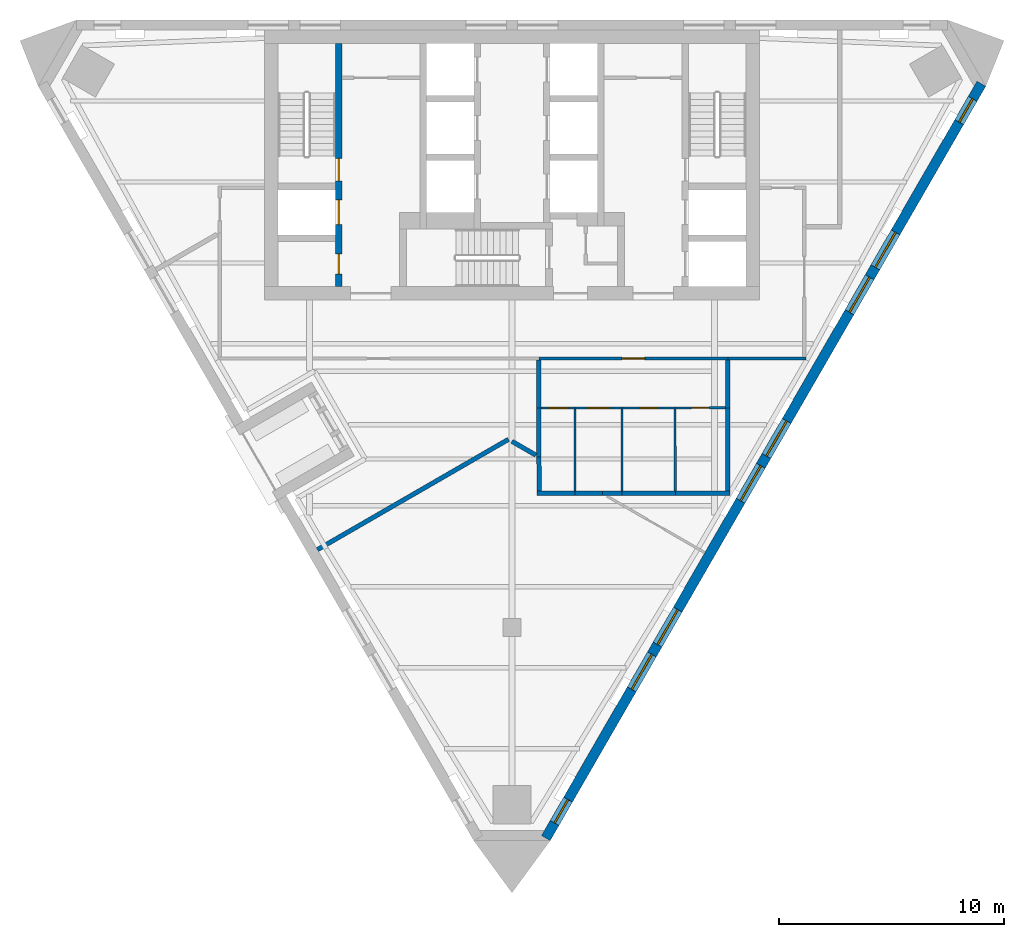
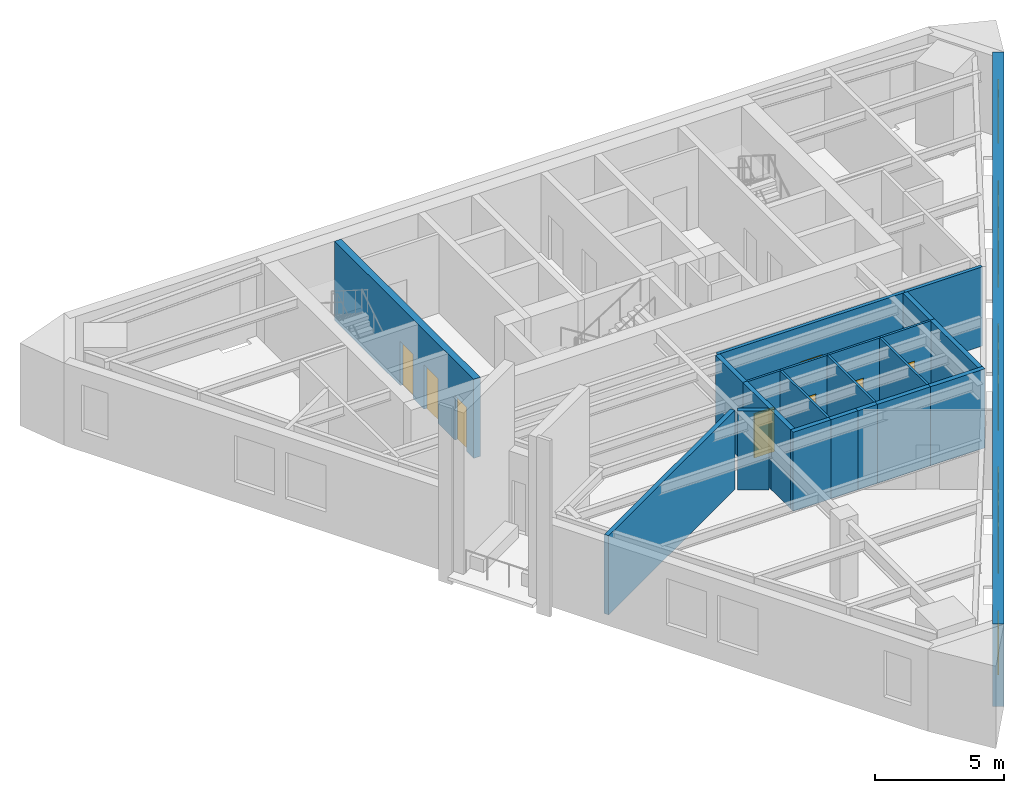
# One storey, part 3 of 6: 23 walls, 8 doors, 8 windows, 16 openings.
"""IFC4 building model written with IfcOpenShell, lengths in metres."""

from ifc_helpers import new_model, si_unit, direction, frame, frame_2d, origin, place, context, subcontext, project, spatial, polyline, rectangle, outline, extrude, material, layer, layer_set, type_object, element, fill, save


model = new_model("IFC4")

# Units and contexts
model_context = context("Model", 3, precision=1e-05, world=origin(), true_north=direction((0.0, 1.0)))
body_context = subcontext(model_context, "Body", "Model", "MODEL_VIEW")
ifc_project = project(units=[si_unit("LENGTHUNIT", "METRE"), si_unit("AREAUNIT", "SQUARE_METRE"), si_unit("VOLUMEUNIT", "CUBIC_METRE"), si_unit("PLANEANGLEUNIT", "RADIAN"), si_unit("MASSUNIT", "GRAM", prefix="KILO")], contexts=[model_context])

# Site, building, storey
site_placement = place(None, origin())
site = spatial("IfcSite", under=ifc_project, at=site_placement, CompositionType="ELEMENT")
building_placement = place(site_placement, origin())
building = spatial("IfcBuilding", under=site, at=building_placement, Name="Aloe Facet Convention Tower", CompositionType="ELEMENT")
storey_placement = place(building_placement, frame((0.0, 0.0, 199.699951171875)))
storey = spatial("IfcBuildingStorey", under=building, at=storey_placement, Name="L50", CompositionType="ELEMENT", Elevation=199.699951171875)

# Wall, openings, doors
ifc_material_1 = material(Name="Concrete C50/60", Category="concrete")
ifc_layer_1 = layer(ifc_material_1, 0.300048828125)
ifc_layer_set_1 = layer_set([ifc_layer_1], Name="CR-W-RC300-C5060")
wall_type_1 = type_object("IfcWallType", Name="CR-W-RC300-C5060", PredefinedType="SOLIDWALL", material=ifc_layer_set_1)
wall_1_placement = place(storey_placement, frame((72.300048828125, 133.949951171875, 0.0), z_axis=(0.0, 0.0, 1.0), x_axis=(0.0, -1.0, 0.0)))
wall_1 = element("IfcWall", 1, at=wall_1_placement, inside=storey, type_object=wall_type_1, Name="Core wall L50-006", PredefinedType="SOLIDWALL", context=body_context, shape_type="SweptSolid", body=[
    extrude(rectangle(XDim=10.800048828125, YDim=0.300048828125, at=frame_2d((5.39990234375, 0.0))), origin(), (0.0, 0.0, 1.0), 3.75),
])
opening_1_placement = place(wall_1_placement, frame((6.949951171875, 0.0, 0.0)))
opening_1 = element("IfcOpeningElement", 2, at=opening_1_placement, cuts=wall_1, Name="Opening LD-FF1-L50", PredefinedType="OPENING", context=body_context, shape_type="SweptSolid", body=[
    extrude(rectangle(XDim=1.10009765625, YDim=2.10009765625, at=frame_2d((0.550048828125, 1.050048828125))), frame((0.0, 0.16015625, 0.0), z_axis=(0.0, -1.0, 0.0), x_axis=(1.0, 0.0, 0.0)), (0.0, 0.0, 1.0), 0.320068359375),
])
opening_2_placement = place(wall_1_placement, frame((9.35009765625, 0.0, 0.0)))
opening_2 = element("IfcOpeningElement", 3, at=opening_2_placement, cuts=wall_1, Name="Opening L50-CD15", PredefinedType="OPENING", context=body_context, shape_type="SweptSolid", body=[
    extrude(rectangle(XDim=0.89990234375, YDim=2.10009765625, at=frame_2d((0.449951171875, 1.050048828125))), frame((0.0, 0.16015625, 0.0), z_axis=(0.0, -1.0, 0.0), x_axis=(1.0, 0.0, 0.0)), (0.0, 0.0, 1.0), 0.320068359375),
])
opening_3_placement = place(wall_1_placement, frame((5.10009765625, 0.0, 0.0)))
opening_3 = element("IfcOpeningElement", 4, at=opening_3_placement, cuts=wall_1, Name="Opening L50-CD16", PredefinedType="OPENING", context=body_context, shape_type="SweptSolid", body=[
    extrude(rectangle(XDim=1.0, YDim=2.10009765625, at=frame_2d((0.5, 1.050048828125))), frame((0.0, 0.16015625, 0.0), z_axis=(0.0, -1.0, 0.0), x_axis=(1.0, 0.0, 0.0)), (0.0, 0.0, 1.0), 0.320068359375),
])
ifc_material_2 = material(Name="Steel fire-resisting door set FD60", Category="steel")
door_type_1 = type_object("IfcDoorType", Name="CR-D-ROOM-900-FD60-SLEFT", OperationType="SINGLE_SWING_LEFT", PredefinedType="DOOR", material=ifc_material_2)
door_1_placement = place(opening_2_placement, origin())
door_1 = element("IfcDoor", 5, at=door_1_placement, inside=storey, type_object=door_type_1, Name="Core door L50-CD15", OperationType="SINGLE_SWING_LEFT", OverallHeight=2.10009765625, OverallWidth=0.89990234375, PredefinedType="DOOR", context=body_context, shape_type="SweptSolid", body=[
    extrude(rectangle(XDim=0.89990234375, YDim=2.10009765625, at=frame_2d((0.449951171875, 1.050048828125))), frame((0.0, 0.02490234375, 0.0), z_axis=(0.0, -1.0, 0.0), x_axis=(1.0, 0.0, 0.0)), (0.0, 0.0, 1.0), 0.050048828125),
])
fill(opening_2, door_1)
ifc_material_3 = material(Name="Steel fire-resisting door set FD120", Category="steel")
door_type_2 = type_object("IfcDoorType", Name="CR-D-STAIR-1000-FD120-SRIGHT", OperationType="SINGLE_SWING_RIGHT", PredefinedType="DOOR", material=ifc_material_3)
door_2_placement = place(opening_3_placement, origin())
door_2 = element("IfcDoor", 6, at=door_2_placement, inside=storey, type_object=door_type_2, Name="Core door L50-CD16", OperationType="SINGLE_SWING_RIGHT", OverallHeight=2.10009765625, OverallWidth=1.0, PredefinedType="DOOR", context=body_context, shape_type="SweptSolid", body=[
    extrude(rectangle(XDim=1.0, YDim=2.10009765625, at=frame_2d((0.5, 1.050048828125))), frame((0.0, 0.02490234375, 0.0), z_axis=(0.0, -1.0, 0.0), x_axis=(1.0, 0.0, 0.0)), (0.0, 0.0, 1.0), 0.050048828125),
])
fill(opening_3, door_2)
ifc_material_4 = material(Name="Stainless steel sliding landing door", Category="steel")
door_type_3 = type_object("IfcDoorType", Name="CR-LD-1100-FD120-_LEFT", OperationType="SLIDING_TO_LEFT", PredefinedType="DOOR", material=ifc_material_4)
door_3_placement = place(opening_1_placement, origin())
door_3 = element("IfcDoor", 7, at=door_3_placement, inside=storey, type_object=door_type_3, Name="Landing door FF1 L50", OperationType="SLIDING_TO_LEFT", OverallHeight=2.10009765625, OverallWidth=1.10009765625, PredefinedType="DOOR", context=body_context, shape_type="SweptSolid", body=[
    extrude(rectangle(XDim=1.10009765625, YDim=2.10009765625, at=frame_2d((0.550048828125, 1.050048828125))), frame((0.0, 0.02490234375, 0.0), z_axis=(0.0, -1.0, 0.0), x_axis=(1.0, 0.0, 0.0)), (0.0, 0.0, 1.0), 0.050048828125),
])
fill(opening_1, door_3)

# Wall, openings, windows
ifc_material_5 = material(Name="Precast concrete C40/50", Category="concrete")
ifc_layer_2 = layer(ifc_material_5, 0.449951171875)
ifc_layer_set_2 = layer_set([ifc_layer_2], Name="EV-WALL-STONE")
wall_type_2 = type_object("IfcWallType", Name="EV-WALL-STONE", PredefinedType="SOLIDWALL", material=ifc_layer_set_2)
wall_2_placement = place(storey_placement, frame((81.505126953125, 98.62744140625, -0.14990234375), z_axis=(0.0, 0.0, 1.0), x_axis=(0.500002199942, 0.866024133644, 0.0)))
wall_2 = element("IfcWall", 8, at=wall_2_placement, inside=storey, type_object=wall_type_2, Name="EW-L50-E01", PredefinedType="SOLIDWALL", context=body_context, shape_type="SweptSolid", body=[
    extrude(outline(polyline([(38.729248046875, 0.0), (38.729248046875, 3.89990234375), (0.0, 3.89990234375), (0.0, 0.0), (38.729248046875, 0.0)])), frame((0.0, 0.22509765625, 0.0), z_axis=(0.0, -1.0, 0.0), x_axis=(1.0, 0.0, 0.0)), (0.0, 0.0, 1.0), 0.449951171875),
])
opening_4_placement = place(wall_2_placement, frame((0.776123046875, 0.0, 0.949951171875)))
opening_4 = element("IfcOpeningElement", 9, at=opening_4_placement, cuts=wall_2, Name="Opening W-L50-E01", PredefinedType="OPENING", context=body_context, shape_type="SweptSolid", body=[
    extrude(rectangle(XDim=1.199951171875, YDim=2.199951171875, at=frame_2d((0.60009765625, 1.10009765625))), frame((0.0, 0.23486328125, 0.0), z_axis=(0.0, -1.0, 0.0), x_axis=(1.0, 0.0, 0.0)), (0.0, 0.0, 1.0), 0.469970703125),
])
opening_5_placement = place(wall_2_placement, frame((7.63232421875, 0.0, 0.949951171875)))
opening_5 = element("IfcOpeningElement", 10, at=opening_5_placement, cuts=wall_2, Name="Opening W-L50-E02", PredefinedType="OPENING", context=body_context, shape_type="SweptSolid", body=[
    extrude(rectangle(XDim=1.800048828125, YDim=2.199951171875, at=frame_2d((0.89990234375, 1.10009765625))), frame((0.0, 0.23486328125, 0.0), z_axis=(0.0, -1.0, 0.0), x_axis=(1.0, 0.0, 0.0)), (0.0, 0.0, 1.0), 0.469970703125),
])
opening_6_placement = place(wall_2_placement, frame((9.932373046875, 0.0, 0.949951171875)))
opening_6 = element("IfcOpeningElement", 11, at=opening_6_placement, cuts=wall_2, Name="Opening W-L50-E03", PredefinedType="OPENING", context=body_context, shape_type="SweptSolid", body=[
    extrude(rectangle(XDim=1.800048828125, YDim=2.199951171875, at=frame_2d((0.89990234375, 1.10009765625))), frame((0.0, 0.23486328125, 0.0), z_axis=(0.0, -1.0, 0.0), x_axis=(1.0, 0.0, 0.0)), (0.0, 0.0, 1.0), 0.469970703125),
])
opening_7_placement = place(wall_2_placement, frame((17.314697265625, 0.0, 0.949951171875)))
opening_7 = element("IfcOpeningElement", 12, at=opening_7_placement, cuts=wall_2, Name="Opening W-L50-E04", PredefinedType="OPENING", context=body_context, shape_type="SweptSolid", body=[
    extrude(rectangle(XDim=1.800048828125, YDim=2.199951171875, at=frame_2d((0.89990234375, 1.10009765625))), frame((0.0, 0.23486328125, 0.0), z_axis=(0.0, -1.0, 0.0), x_axis=(1.0, 0.0, 0.0)), (0.0, 0.0, 1.0), 0.469970703125),
])
opening_8_placement = place(wall_2_placement, frame((19.614501953125, 0.0, 0.949951171875)))
opening_8 = element("IfcOpeningElement", 13, at=opening_8_placement, cuts=wall_2, Name="Opening W-L50-E05", PredefinedType="OPENING", context=body_context, shape_type="SweptSolid", body=[
    extrude(rectangle(XDim=1.800048828125, YDim=2.199951171875, at=frame_2d((0.89990234375, 1.10009765625))), frame((0.0, 0.23486328125, 0.0), z_axis=(0.0, -1.0, 0.0), x_axis=(1.0, 0.0, 0.0)), (0.0, 0.0, 1.0), 0.469970703125),
])
opening_9_placement = place(wall_2_placement, frame((26.996826171875, 0.0, 0.949951171875)))
opening_9 = element("IfcOpeningElement", 14, at=opening_9_placement, cuts=wall_2, Name="Opening W-L50-E06", PredefinedType="OPENING", context=body_context, shape_type="SweptSolid", body=[
    extrude(rectangle(XDim=1.800048828125, YDim=2.199951171875, at=frame_2d((0.89990234375, 1.10009765625))), frame((0.0, 0.23486328125, 0.0), z_axis=(0.0, -1.0, 0.0), x_axis=(1.0, 0.0, 0.0)), (0.0, 0.0, 1.0), 0.469970703125),
])
opening_10_placement = place(wall_2_placement, frame((29.296875, 0.0, 0.949951171875)))
opening_10 = element("IfcOpeningElement", 15, at=opening_10_placement, cuts=wall_2, Name="Opening W-L50-E07", PredefinedType="OPENING", context=body_context, shape_type="SweptSolid", body=[
    extrude(rectangle(XDim=1.800048828125, YDim=2.199951171875, at=frame_2d((0.89990234375, 1.10009765625))), frame((0.0, 0.23486328125, 0.0), z_axis=(0.0, -1.0, 0.0), x_axis=(1.0, 0.0, 0.0)), (0.0, 0.0, 1.0), 0.469970703125),
])
opening_11_placement = place(wall_2_placement, frame((36.753173828125, 0.0, 0.949951171875)))
opening_11 = element("IfcOpeningElement", 16, at=opening_11_placement, cuts=wall_2, Name="Opening W-L50-E08", PredefinedType="OPENING", context=body_context, shape_type="SweptSolid", body=[
    extrude(rectangle(XDim=1.199951171875, YDim=2.199951171875, at=frame_2d((0.60009765625, 1.10009765625))), frame((0.0, 0.23486328125, 0.0), z_axis=(0.0, -1.0, 0.0), x_axis=(1.0, 0.0, 0.0)), (0.0, 0.0, 1.0), 0.469970703125),
])
ifc_material_6 = material(Name="Aluminium frame, clear double glazing", Category="aluminium")
window_type_1 = type_object("IfcWindowType", Name="EV-WIN-O12", PartitioningType="SINGLE_PANEL", PredefinedType="WINDOW", material=ifc_material_6)
window_1_placement = place(opening_4_placement, origin())
window_1 = element("IfcWindow", 17, at=window_1_placement, inside=storey, type_object=window_type_1, Name="W-L50-E01", OverallHeight=2.199951171875, OverallWidth=1.199951171875, PartitioningType="SINGLE_PANEL", PredefinedType="WINDOW", context=body_context, shape_type="SweptSolid", body=[
    extrude(rectangle(XDim=1.199951171875, YDim=2.199951171875, at=frame_2d((0.60009765625, 1.10009765625))), frame((0.0, 0.030029296875, 0.0), z_axis=(0.0, -1.0, 0.0), x_axis=(1.0, 0.0, 0.0)), (0.0, 0.0, 1.0), 0.06005859375),
])
fill(opening_4, window_1)
window_2_placement = place(opening_11_placement, origin())
window_2 = element("IfcWindow", 18, at=window_2_placement, inside=storey, type_object=window_type_1, Name="W-L50-E08", OverallHeight=2.199951171875, OverallWidth=1.199951171875, PartitioningType="SINGLE_PANEL", PredefinedType="WINDOW", context=body_context, shape_type="SweptSolid", body=[
    extrude(rectangle(XDim=1.199951171875, YDim=2.199951171875, at=frame_2d((0.60009765625, 1.10009765625))), frame((0.0, 0.030029296875, 0.0), z_axis=(0.0, -1.0, 0.0), x_axis=(1.0, 0.0, 0.0)), (0.0, 0.0, 1.0), 0.06005859375),
])
fill(opening_11, window_2)
ifc_material_7 = material(Name="Aluminium frame, clear double glazing", Category="aluminium")
window_type_2 = type_object("IfcWindowType", Name="EV-WIN-O18", PartitioningType="SINGLE_PANEL", PredefinedType="WINDOW", material=ifc_material_7)
window_3_placement = place(opening_5_placement, origin())
window_3 = element("IfcWindow", 19, at=window_3_placement, inside=storey, type_object=window_type_2, Name="W-L50-E02", OverallHeight=2.199951171875, OverallWidth=1.800048828125, PartitioningType="SINGLE_PANEL", PredefinedType="WINDOW", context=body_context, shape_type="SweptSolid", body=[
    extrude(rectangle(XDim=1.800048828125, YDim=2.199951171875, at=frame_2d((0.89990234375, 1.10009765625))), frame((0.0, 0.030029296875, 0.0), z_axis=(0.0, -1.0, 0.0), x_axis=(1.0, 0.0, 0.0)), (0.0, 0.0, 1.0), 0.06005859375),
])
fill(opening_5, window_3)
window_4_placement = place(opening_6_placement, origin())
window_4 = element("IfcWindow", 20, at=window_4_placement, inside=storey, type_object=window_type_2, Name="W-L50-E03", OverallHeight=2.199951171875, OverallWidth=1.800048828125, PartitioningType="SINGLE_PANEL", PredefinedType="WINDOW", context=body_context, shape_type="SweptSolid", body=[
    extrude(rectangle(XDim=1.800048828125, YDim=2.199951171875, at=frame_2d((0.89990234375, 1.10009765625))), frame((0.0, 0.030029296875, 0.0), z_axis=(0.0, -1.0, 0.0), x_axis=(1.0, 0.0, 0.0)), (0.0, 0.0, 1.0), 0.06005859375),
])
fill(opening_6, window_4)
window_5_placement = place(opening_7_placement, origin())
window_5 = element("IfcWindow", 21, at=window_5_placement, inside=storey, type_object=window_type_2, Name="W-L50-E04", OverallHeight=2.199951171875, OverallWidth=1.800048828125, PartitioningType="SINGLE_PANEL", PredefinedType="WINDOW", context=body_context, shape_type="SweptSolid", body=[
    extrude(rectangle(XDim=1.800048828125, YDim=2.199951171875, at=frame_2d((0.89990234375, 1.10009765625))), frame((0.0, 0.030029296875, 0.0), z_axis=(0.0, -1.0, 0.0), x_axis=(1.0, 0.0, 0.0)), (0.0, 0.0, 1.0), 0.06005859375),
])
fill(opening_7, window_5)
window_6_placement = place(opening_8_placement, origin())
window_6 = element("IfcWindow", 22, at=window_6_placement, inside=storey, type_object=window_type_2, Name="W-L50-E05", OverallHeight=2.199951171875, OverallWidth=1.800048828125, PartitioningType="SINGLE_PANEL", PredefinedType="WINDOW", context=body_context, shape_type="SweptSolid", body=[
    extrude(rectangle(XDim=1.800048828125, YDim=2.199951171875, at=frame_2d((0.89990234375, 1.10009765625))), frame((0.0, 0.030029296875, 0.0), z_axis=(0.0, -1.0, 0.0), x_axis=(1.0, 0.0, 0.0)), (0.0, 0.0, 1.0), 0.06005859375),
])
fill(opening_8, window_6)
window_7_placement = place(opening_9_placement, origin())
window_7 = element("IfcWindow", 23, at=window_7_placement, inside=storey, type_object=window_type_2, Name="W-L50-E06", OverallHeight=2.199951171875, OverallWidth=1.800048828125, PartitioningType="SINGLE_PANEL", PredefinedType="WINDOW", context=body_context, shape_type="SweptSolid", body=[
    extrude(rectangle(XDim=1.800048828125, YDim=2.199951171875, at=frame_2d((0.89990234375, 1.10009765625))), frame((0.0, 0.030029296875, 0.0), z_axis=(0.0, -1.0, 0.0), x_axis=(1.0, 0.0, 0.0)), (0.0, 0.0, 1.0), 0.06005859375),
])
fill(opening_9, window_7)
window_8_placement = place(opening_10_placement, origin())
window_8 = element("IfcWindow", 24, at=window_8_placement, inside=storey, type_object=window_type_2, Name="W-L50-E07", OverallHeight=2.199951171875, OverallWidth=1.800048828125, PartitioningType="SINGLE_PANEL", PredefinedType="WINDOW", context=body_context, shape_type="SweptSolid", body=[
    extrude(rectangle(XDim=1.800048828125, YDim=2.199951171875, at=frame_2d((0.89990234375, 1.10009765625))), frame((0.0, 0.030029296875, 0.0), z_axis=(0.0, -1.0, 0.0), x_axis=(1.0, 0.0, 0.0)), (0.0, 0.0, 1.0), 0.06005859375),
])
fill(opening_10, window_8)

# Wall, opening, door
ifc_material_8 = material(Name="Gypsum board partition on steel studs", Category="steel")
ifc_layer_3 = layer(ifc_material_8, 0.14990234375)
ifc_layer_set_3 = layer_set([ifc_layer_3], Name="IN-W-CORR")
wall_type_3 = type_object("IfcWallType", Name="IN-W-CORR", PredefinedType="PARTITIONING", material=ifc_layer_set_3)
wall_3_placement = place(storey_placement, frame((81.199951171875, 119.949951171875, 0.0), z_axis=(0.0, 0.0, 1.0), x_axis=(1.0, 0.0, 0.0)))
wall_3 = element("IfcWall", 25, at=wall_3_placement, inside=storey, type_object=wall_type_3, Name="Partition L50-W022", PredefinedType="PARTITIONING", context=body_context, shape_type="SweptSolid", body=[
    extrude(rectangle(XDim=8.400146484375, YDim=0.14990234375, at=frame_2d((4.2001953125, 0.0))), origin(), (0.0, 0.0, 1.0), 3.75),
])
opening_12_placement = place(wall_3_placement, frame((3.699951171875, 0.0, 0.0)))
opening_12 = element("IfcOpeningElement", 26, at=opening_12_placement, cuts=wall_3, Name="Opening L50-001", PredefinedType="OPENING", context=body_context, shape_type="SweptSolid", body=[
    extrude(rectangle(XDim=1.0, YDim=2.10009765625, at=frame_2d((0.5, 1.050048828125))), frame((0.0, 0.0849609375, 0.0), z_axis=(0.0, -1.0, 0.0), x_axis=(1.0, 0.0, 0.0)), (0.0, 0.0, 1.0), 0.169921875),
])
ifc_material_9 = material(Name="Timber door FD30S with vision panel", Category="wood")
door_type_4 = type_object("IfcDoorType", Name="IN-OFF-D-ENTRY", OperationType="SINGLE_SWING_LEFT", PredefinedType="DOOR", material=ifc_material_9)
door_4_placement = place(opening_12_placement, origin())
door_4 = element("IfcDoor", 27, at=door_4_placement, inside=storey, type_object=door_type_4, Name="Door L50-001", OperationType="SINGLE_SWING_LEFT", OverallHeight=2.10009765625, OverallWidth=1.0, PredefinedType="DOOR", context=body_context, shape_type="SweptSolid", body=[
    extrude(rectangle(XDim=1.0, YDim=2.10009765625, at=frame_2d((0.5, 1.050048828125))), frame((0.0, 0.02490234375, 0.0), z_axis=(0.0, -1.0, 0.0), x_axis=(1.0, 0.0, 0.0)), (0.0, 0.0, 1.0), 0.050048828125),
])
fill(opening_12, door_4)

# Walls
wall_4_placement = place(storey_placement, frame((89.60009765625, 119.949951171875, 0.0), z_axis=(0.0, 0.0, 1.0), x_axis=(1.0, 0.0, 0.0)))
element("IfcWall", 28, at=wall_4_placement, inside=storey, type_object=wall_type_3, Name="Partition L50-W023", PredefinedType="PARTITIONING", context=body_context, shape_type="SweptSolid", body=[
    extrude(rectangle(XDim=3.474853515625, YDim=0.14990234375, at=frame_2d((1.7373046875, 0.0))), origin(), (0.0, 0.0, 1.0), 3.75),
])
ifc_material_10 = material(Name="Gypsum board partition on steel studs", Category="steel")
ifc_layer_4 = layer(ifc_material_10, 0.10009765625)
ifc_layer_set_4 = layer_set([ifc_layer_4], Name="IN-W-PART")
wall_type_4 = type_object("IfcWallType", Name="IN-W-PART", PredefinedType="PARTITIONING", material=ifc_layer_set_4)
wall_5_placement = place(storey_placement, frame((82.8056640625, 114.050048828125, 0.0), z_axis=(0.0, 0.0, 1.0), x_axis=(-0.002608686776, 0.999996597371, 0.0)))
element("IfcWall", 29, at=wall_5_placement, inside=storey, type_object=wall_type_4, Name="Partition L50-W012", PredefinedType="PARTITIONING", context=body_context, shape_type="SweptSolid", body=[
    extrude(rectangle(XDim=3.64990234375, YDim=0.10009765625, at=frame_2d((1.824951171875, 0.0))), origin(), (0.0, 0.0, 1.0), 3.75),
])

# Wall, opening, door
wall_6_placement = place(storey_placement, frame((81.300048828125, 117.75, 0.0), z_axis=(0.0, 0.0, 1.0), x_axis=(1.0, 0.0, 0.0)))
wall_6 = element("IfcWall", 30, at=wall_6_placement, inside=storey, type_object=wall_type_4, Name="Partition L50-W013", PredefinedType="PARTITIONING", context=body_context, shape_type="SweptSolid", body=[
    extrude(rectangle(XDim=1.495849609375, YDim=0.10009765625, at=frame_2d((0.748046875, 0.0))), origin(), (0.0, 0.0, 1.0), 3.75),
])
opening_13_placement = place(wall_6_placement, frame((0.298095703125, 0.0, 0.0)))
opening_13 = element("IfcOpeningElement", 31, at=opening_13_placement, cuts=wall_6, Name="Opening L50-002", PredefinedType="OPENING", context=body_context, shape_type="SweptSolid", body=[
    extrude(rectangle(XDim=0.89990234375, YDim=2.10009765625, at=frame_2d((0.449951171875, 1.050048828125))), frame((0.0, 0.06005859375, 0.0), z_axis=(0.0, -1.0, 0.0), x_axis=(1.0, 0.0, 0.0)), (0.0, 0.0, 1.0), 0.1201171875),
])
ifc_material_11 = material(Name="Timber door", Category="wood")
door_type_5 = type_object("IfcDoorType", Name="IN-OFF-D-ROOM", OperationType="SINGLE_SWING_LEFT", PredefinedType="DOOR", material=ifc_material_11)
door_5_placement = place(opening_13_placement, origin())
door_5 = element("IfcDoor", 32, at=door_5_placement, inside=storey, type_object=door_type_5, Name="Door L50-002", OperationType="SINGLE_SWING_LEFT", OverallHeight=2.10009765625, OverallWidth=0.89990234375, PredefinedType="DOOR", context=body_context, shape_type="SweptSolid", body=[
    extrude(rectangle(XDim=0.89990234375, YDim=2.10009765625, at=frame_2d((0.449951171875, 1.050048828125))), frame((0.0, 0.02490234375, 0.0), z_axis=(0.0, -1.0, 0.0), x_axis=(1.0, 0.0, 0.0)), (0.0, 0.0, 1.0), 0.050048828125),
])
fill(opening_13, door_5)

# Wall
wall_7_placement = place(storey_placement, frame((84.88623046875, 114.050048828125, 0.0), z_axis=(0.0, 0.0, 1.0), x_axis=(0.002608686776, 0.999996597371, 0.0)))
element("IfcWall", 33, at=wall_7_placement, inside=storey, type_object=wall_type_4, Name="Partition L50-W014", PredefinedType="PARTITIONING", context=body_context, shape_type="SweptSolid", body=[
    extrude(rectangle(XDim=3.64990234375, YDim=0.10009765625, at=frame_2d((1.824951171875, 0.0))), origin(), (0.0, 0.0, 1.0), 3.75),
])

# Wall, opening, door
wall_8_placement = place(storey_placement, frame((82.7958984375, 117.75, 0.0), z_axis=(0.0, 0.0, 1.0), x_axis=(1.0, 0.0, 0.0)))
wall_8 = element("IfcWall", 34, at=wall_8_placement, inside=storey, type_object=wall_type_4, Name="Partition L50-W015", PredefinedType="PARTITIONING", context=body_context, shape_type="SweptSolid", body=[
    extrude(rectangle(XDim=2.10009765625, YDim=0.10009765625, at=frame_2d((1.050048828125, 0.0))), origin(), (0.0, 0.0, 1.0), 3.75),
])
opening_14_placement = place(wall_8_placement, frame((0.550048828125, 0.0, 0.0)))
opening_14 = element("IfcOpeningElement", 35, at=opening_14_placement, cuts=wall_8, Name="Opening L50-003", PredefinedType="OPENING", context=body_context, shape_type="SweptSolid", body=[
    extrude(rectangle(XDim=1.0, YDim=2.10009765625, at=frame_2d((0.5, 1.050048828125))), frame((0.0, 0.06005859375, 0.0), z_axis=(0.0, -1.0, 0.0), x_axis=(1.0, 0.0, 0.0)), (0.0, 0.0, 1.0), 0.1201171875),
])
ifc_material_12 = material(Name="Timber door", Category="wood")
door_type_6 = type_object("IfcDoorType", Name="IN-OFF-D-WIDE", OperationType="SINGLE_SWING_LEFT", PredefinedType="DOOR", material=ifc_material_12)
door_6_placement = place(opening_14_placement, origin())
door_6 = element("IfcDoor", 36, at=door_6_placement, inside=storey, type_object=door_type_6, Name="Door L50-003", OperationType="SINGLE_SWING_LEFT", OverallHeight=2.10009765625, OverallWidth=1.0, PredefinedType="DOOR", context=body_context, shape_type="SweptSolid", body=[
    extrude(rectangle(XDim=1.0, YDim=2.10009765625, at=frame_2d((0.5, 1.050048828125))), frame((0.0, 0.02490234375, 0.0), z_axis=(0.0, -1.0, 0.0), x_axis=(1.0, 0.0, 0.0)), (0.0, 0.0, 1.0), 0.050048828125),
])
fill(opening_14, door_6)

# Wall
wall_9_placement = place(storey_placement, frame((87.2578125, 114.050048828125, 0.0), z_axis=(0.0, 0.0, 1.0), x_axis=(-0.002675575707, 0.999996420641, 0.0)))
element("IfcWall", 37, at=wall_9_placement, inside=storey, type_object=wall_type_4, Name="Partition L50-W016", PredefinedType="PARTITIONING", context=body_context, shape_type="SweptSolid", body=[
    extrude(rectangle(XDim=3.64990234375, YDim=0.10009765625, at=frame_2d((1.824951171875, 0.0))), origin(), (0.0, 0.0, 1.0), 3.75),
])

# Wall, opening, door
wall_10_placement = place(storey_placement, frame((84.89599609375, 117.75, 0.0), z_axis=(0.0, 0.0, 1.0), x_axis=(1.0, 0.0, 0.0)))
wall_10 = element("IfcWall", 38, at=wall_10_placement, inside=storey, type_object=wall_type_4, Name="Partition L50-W017", PredefinedType="PARTITIONING", context=body_context, shape_type="SweptSolid", body=[
    extrude(rectangle(XDim=2.35205078125, YDim=0.10009765625, at=frame_2d((1.176025390625, 0.0))), origin(), (0.0, 0.0, 1.0), 3.75),
])
opening_15_placement = place(wall_10_placement, frame((0.77587890625, 0.0, 0.0)))
opening_15 = element("IfcOpeningElement", 39, at=opening_15_placement, cuts=wall_10, Name="Opening L50-004", PredefinedType="OPENING", context=body_context, shape_type="SweptSolid", body=[
    extrude(rectangle(XDim=0.800048828125, YDim=2.10009765625, at=frame_2d((0.39990234375, 1.050048828125))), frame((0.0, 0.06005859375, 0.0), z_axis=(0.0, -1.0, 0.0), x_axis=(1.0, 0.0, 0.0)), (0.0, 0.0, 1.0), 0.1201171875),
])
ifc_material_13 = material(Name="Timber door", Category="wood")
door_type_7 = type_object("IfcDoorType", Name="IN-OFF-D-WC", OperationType="SINGLE_SWING_LEFT", PredefinedType="DOOR", material=ifc_material_13)
door_7_placement = place(opening_15_placement, origin())
door_7 = element("IfcDoor", 40, at=door_7_placement, inside=storey, type_object=door_type_7, Name="Door L50-004", OperationType="SINGLE_SWING_LEFT", OverallHeight=2.10009765625, OverallWidth=0.800048828125, PredefinedType="DOOR", context=body_context, shape_type="SweptSolid", body=[
    extrude(rectangle(XDim=0.800048828125, YDim=2.10009765625, at=frame_2d((0.39990234375, 1.050048828125))), frame((0.0, 0.02490234375, 0.0), z_axis=(0.0, -1.0, 0.0), x_axis=(1.0, 0.0, 0.0)), (0.0, 0.0, 1.0), 0.050048828125),
])
fill(opening_15, door_7)

wall_11_placement = place(storey_placement, frame((87.248046875, 117.75, 0.0), z_axis=(0.0, 0.0, 1.0), x_axis=(0.999991061702, 0.004228062815, 0.0)))
wall_11 = element("IfcWall", 41, at=wall_11_placement, inside=storey, type_object=wall_type_4, Name="Partition L50-W018", PredefinedType="PARTITIONING", context=body_context, shape_type="SweptSolid", body=[
    extrude(rectangle(XDim=2.251953125, YDim=0.10009765625, at=frame_2d((1.1259765625, 0.0))), origin(), (0.0, 0.0, 1.0), 3.75),
])
opening_16_placement = place(wall_11_placement, frame((0.72607421875, 0.0, 0.0)))
opening_16 = element("IfcOpeningElement", 42, at=opening_16_placement, cuts=wall_11, Name="Opening L50-005", PredefinedType="OPENING", context=body_context, shape_type="SweptSolid", body=[
    extrude(rectangle(XDim=0.800048828125, YDim=2.10009765625, at=frame_2d((0.39990234375, 1.050048828125))), frame((0.0, 0.06005859375, 0.0), z_axis=(0.0, -1.0, 0.0), x_axis=(1.0, 0.0, 0.0)), (0.0, 0.0, 1.0), 0.1201171875),
])
door_8_placement = place(opening_16_placement, origin())
door_8 = element("IfcDoor", 43, at=door_8_placement, inside=storey, type_object=door_type_7, Name="Door L50-005", OperationType="SINGLE_SWING_LEFT", OverallHeight=2.10009765625, OverallWidth=0.800048828125, PredefinedType="DOOR", context=body_context, shape_type="SweptSolid", body=[
    extrude(rectangle(XDim=0.800048828125, YDim=2.10009765625, at=frame_2d((0.39990234375, 1.050048828125))), frame((0.0, 0.02490234375, 0.0), z_axis=(0.0, -1.0, 0.0), x_axis=(1.0, 0.0, 0.0)), (0.0, 0.0, 1.0), 0.050048828125),
])
fill(opening_16, door_8)

# Walls
ifc_material_14 = material(Name="Gypsum board partition on steel studs", Category="steel")
ifc_layer_5 = layer(ifc_material_14, 0.199951171875)
ifc_layer_set_5 = layer_set([ifc_layer_5], Name="IN-W-PARTY")
wall_type_5 = type_object("IfcWallType", Name="IN-W-PARTY", PredefinedType="PARTITIONING", material=ifc_layer_set_5)
wall_12_placement = place(storey_placement, frame((71.350341796875, 111.452392578125, 0.0), z_axis=(0.0, 0.0, 1.0), x_axis=(0.866027242197, 0.499996815763, 0.0)))
element("IfcWall", 44, at=wall_12_placement, inside=storey, type_object=wall_type_5, Name="Partition L50-W001", PredefinedType="PARTITIONING", context=body_context, shape_type="SweptSolid", body=[
    extrude(rectangle(XDim=9.80810546875, YDim=0.199951171875, at=frame_2d((4.904052734375, 0.0))), origin(), (0.0, 0.0, 1.0), 3.75),
])
wall_13_placement = place(storey_placement, frame((81.10205078125, 113.949951171875, 0.0), z_axis=(0.0, 0.0, 1.0), x_axis=(1.0, 0.0, 0.0)))
element("IfcWall", 45, at=wall_13_placement, inside=storey, type_object=wall_type_5, Name="Partition L50-W002", PredefinedType="PARTITIONING", context=body_context, shape_type="SweptSolid", body=[
    extrude(rectangle(XDim=1.703857421875, YDim=0.199951171875, at=frame_2d((0.85205078125, 0.0))), origin(), (0.0, 0.0, 1.0), 3.75),
])
wall_14_placement = place(storey_placement, frame((82.805908203125, 113.949951171875, 0.0), z_axis=(0.0, 0.0, 1.0), x_axis=(1.0, 0.0, 0.0)))
element("IfcWall", 46, at=wall_14_placement, inside=storey, type_object=wall_type_5, Name="Partition L50-W003", PredefinedType="PARTITIONING", context=body_context, shape_type="SweptSolid", body=[
    extrude(rectangle(XDim=1.206787109375, YDim=0.199951171875, at=frame_2d((0.603515625, 0.0))), origin(), (0.0, 0.0, 1.0), 3.75),
])
wall_15_placement = place(storey_placement, frame((84.0126953125, 113.949951171875, 0.0), z_axis=(0.0, 0.0, 1.0), x_axis=(1.0, 0.0, 0.0)))
element("IfcWall", 47, at=wall_15_placement, inside=storey, type_object=wall_type_5, Name="Partition L50-W005", PredefinedType="PARTITIONING", context=body_context, shape_type="SweptSolid", body=[
    extrude(rectangle(XDim=0.873291015625, YDim=0.199951171875, at=frame_2d((0.4365234375, 0.0))), origin(), (0.0, 0.0, 1.0), 3.75),
])
wall_16_placement = place(storey_placement, frame((84.885986328125, 113.949951171875, 0.0), z_axis=(0.0, 0.0, 1.0), x_axis=(1.0, 0.0, 0.0)))
element("IfcWall", 48, at=wall_16_placement, inside=storey, type_object=wall_type_5, Name="Partition L50-W006", PredefinedType="PARTITIONING", context=body_context, shape_type="SweptSolid", body=[
    extrude(rectangle(XDim=2.3720703125, YDim=0.199951171875, at=frame_2d((1.18603515625, 0.0))), origin(), (0.0, 0.0, 1.0), 3.75),
])
wall_17_placement = place(storey_placement, frame((87.258056640625, 113.949951171875, 0.0), z_axis=(0.0, 0.0, 1.0), x_axis=(1.0, 0.0, 0.0)))
element("IfcWall", 49, at=wall_17_placement, inside=storey, type_object=wall_type_5, Name="Partition L50-W007", PredefinedType="PARTITIONING", context=body_context, shape_type="SweptSolid", body=[
    extrude(rectangle(XDim=2.44189453125, YDim=0.199951171875, at=frame_2d((1.220947265625, 0.0))), origin(), (0.0, 0.0, 1.0), 3.75),
])
wall_18_placement = place(storey_placement, frame((89.60009765625, 114.050048828125, 0.0), z_axis=(0.0, 0.0, 1.0), x_axis=(0.0, 1.0, 0.0)))
element("IfcWall", 50, at=wall_18_placement, inside=storey, type_object=wall_type_5, Name="Partition L50-W008", PredefinedType="PARTITIONING", context=body_context, shape_type="SweptSolid", body=[
    extrude(rectangle(XDim=3.7099609375, YDim=0.199951171875, at=frame_2d((1.85498046875, 0.0))), origin(), (0.0, 0.0, 1.0), 3.75),
])
wall_19_placement = place(storey_placement, frame((81.201904296875, 114.050048828125, 0.0), z_axis=(0.0, 0.0, 1.0), x_axis=(-0.001281639447, 0.9999991787, 0.0)))
element("IfcWall", 51, at=wall_19_placement, inside=storey, type_object=wall_type_5, Name="Partition L50-W009", PredefinedType="PARTITIONING", context=body_context, shape_type="SweptSolid", body=[
    extrude(rectangle(XDim=1.52392578125, YDim=0.199951171875, at=frame_2d((0.761962890625, 0.0))), origin(), (0.0, 0.0, 1.0), 3.75),
])
wall_20_placement = place(storey_placement, frame((79.994384765625, 116.27001953125, 0.0), z_axis=(0.0, 0.0, 1.0), x_axis=(0.865990916707, -0.500059728613, 0.0)))
element("IfcWall", 52, at=wall_20_placement, inside=storey, type_object=wall_type_5, Name="Partition L50-W010", PredefinedType="PARTITIONING", context=body_context, shape_type="SweptSolid", body=[
    extrude(rectangle(XDim=1.232177734375, YDim=0.199951171875, at=frame_2d((0.6162109375, 0.0))), origin(), (0.0, 0.0, 1.0), 3.75),
])
wall_21_placement = place(storey_placement, frame((89.60009765625, 117.760009765625, 0.0), z_axis=(0.0, 0.0, 1.0), x_axis=(0.0, 1.0, 0.0)))
element("IfcWall", 53, at=wall_21_placement, inside=storey, type_object=wall_type_5, Name="Partition L50-W011", PredefinedType="PARTITIONING", context=body_context, shape_type="SweptSolid", body=[
    extrude(rectangle(XDim=2.114990234375, YDim=0.199951171875, at=frame_2d((1.0576171875, 0.0))), origin(), (0.0, 0.0, 1.0), 3.75),
])
wall_22_placement = place(storey_placement, frame((81.199951171875, 115.573974609375, 0.0), z_axis=(0.0, 0.0, 1.0), x_axis=(0.0, 1.0, 0.0)))
element("IfcWall", 54, at=wall_22_placement, inside=storey, type_object=wall_type_5, Name="Partition L50-W019", PredefinedType="PARTITIONING", context=body_context, shape_type="SweptSolid", body=[
    extrude(rectangle(XDim=2.176025390625, YDim=0.199951171875, at=frame_2d((1.087890625, 0.0))), origin(), (0.0, 0.0, 1.0), 3.75),
])
wall_23_placement = place(storey_placement, frame((81.199951171875, 117.75, 0.0), z_axis=(0.0, 0.0, 1.0), x_axis=(0.0, 1.0, 0.0)))
element("IfcWall", 55, at=wall_23_placement, inside=storey, type_object=wall_type_5, Name="Partition L50-W020", PredefinedType="PARTITIONING", context=body_context, shape_type="SweptSolid", body=[
    extrude(rectangle(XDim=2.125, YDim=0.199951171875, at=frame_2d((1.0625, 0.0))), origin(), (0.0, 0.0, 1.0), 3.75),
])

save(model, "model.ifc")
